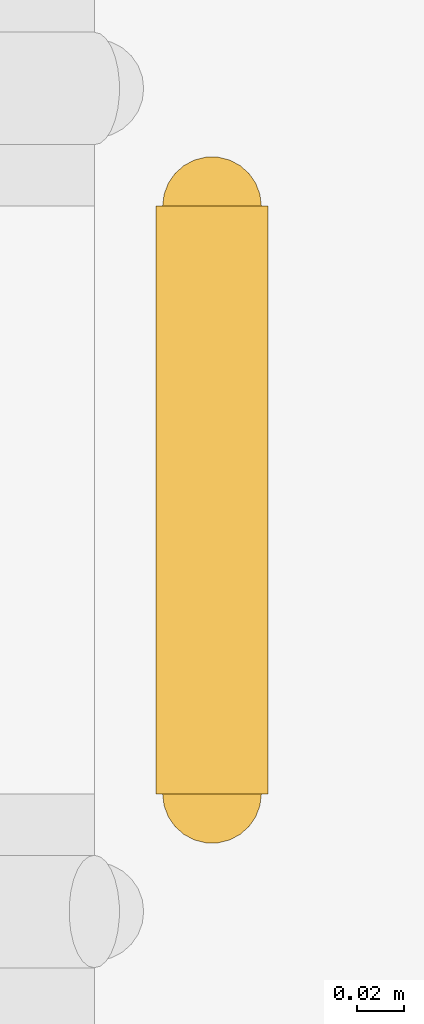
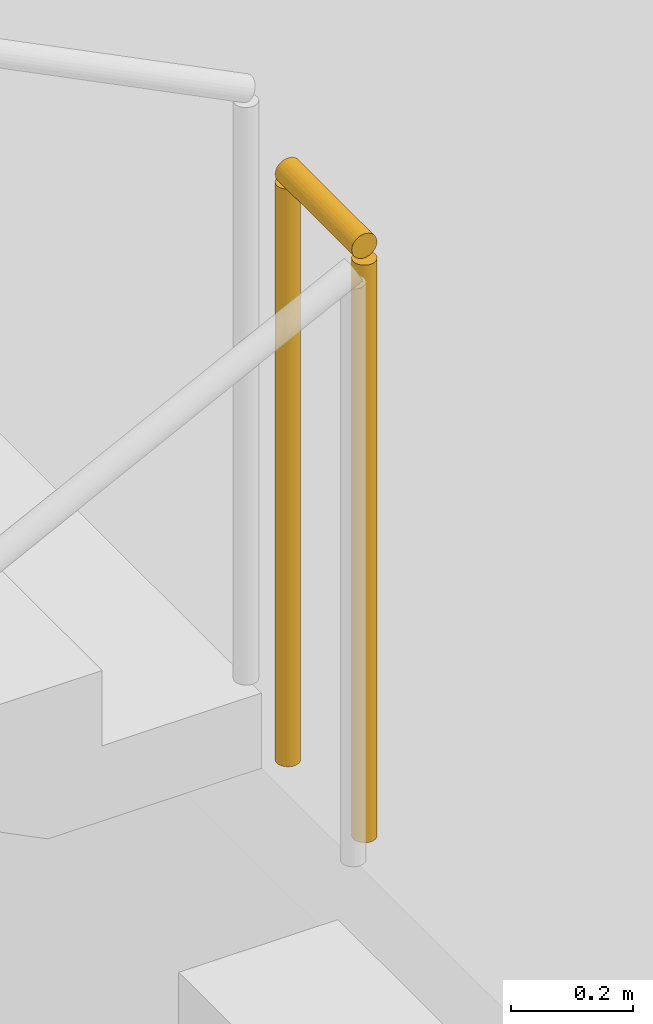
# One storey, part 36 of 65: 1 railing.
"""IFC4 building model written with IfcOpenShell, lengths in metres."""

from ifc_helpers import new_model, si_unit, direction, frame, origin, origin_2d, place, context, subcontext, project, spatial, circle, extrude, material, type_object, element, save


model = new_model("IFC4")

# Units and contexts
model_context = context("Model", 3, precision=1e-05, world=origin(), true_north=direction((0.0, 1.0)))
body_context = subcontext(model_context, "Body", "Model", "MODEL_VIEW")
ifc_project = project(units=[si_unit("LENGTHUNIT", "METRE"), si_unit("AREAUNIT", "SQUARE_METRE"), si_unit("VOLUMEUNIT", "CUBIC_METRE"), si_unit("PLANEANGLEUNIT", "RADIAN"), si_unit("MASSUNIT", "GRAM", prefix="KILO")], contexts=[model_context])

# Site, building, storey
site_placement = place(None, origin())
site = spatial("IfcSite", under=ifc_project, at=site_placement, CompositionType="ELEMENT")
building_placement = place(site_placement, origin())
building = spatial("IfcBuilding", under=site, at=building_placement, Name="Chuanluo Vaults Station", CompositionType="ELEMENT")
storey_placement = place(building_placement, origin())
storey = spatial("IfcBuildingStorey", under=building, at=storey_placement, Name="L00", CompositionType="ELEMENT", Elevation=0.0)

# Railing
ifc_material = material(Name="Tempered laminated balustrade glass", Category="glass")
railing_type = type_object("IfcRailingType", Name="RLG-GUARD-1200", PredefinedType="BALUSTRADE", material=ifc_material)
railing_placement = place(storey_placement, frame((32.60009765625, 23.125, 3.300048828125)))
element("IfcRailing", 1, at=railing_placement, inside=storey, type_object=railing_type, Name="L00 ST-18 stair guard 2", PredefinedType="BALUSTRADE", context=body_context, shape_type="SweptSolid", body=[
    extrude(circle(Radius=0.02392578125, at=origin_2d()), frame((0.0, 0.0, 1.17578125), z_axis=(0.0, 1.0, 0.0), x_axis=(-1.0, 0.0, 0.0)), (0.0, 0.0, 1.0), 0.25),
    extrude(circle(Radius=0.02099609375, at=origin_2d()), origin(), (0.0, 0.0, 1.0), 1.15185546875),
    extrude(circle(Radius=0.02099609375, at=origin_2d()), frame((0.0, 0.25, 0.0)), (0.0, 0.0, 1.0), 1.15185546875),
])

save(model, "model.ifc")
